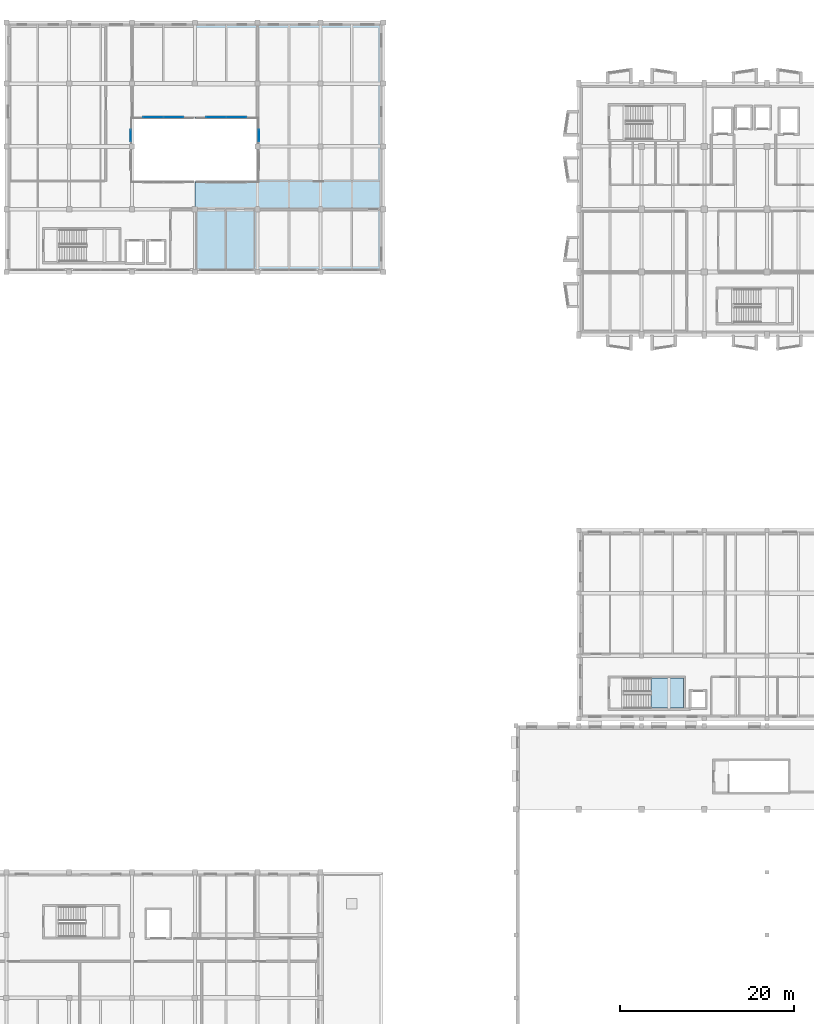
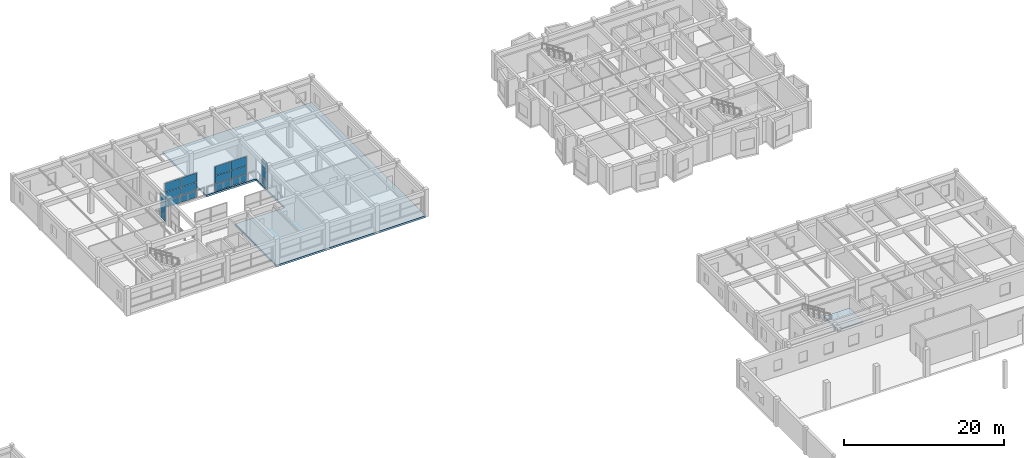
# One storey, part 24 of 49: 18 plates, 2 slabs, 5 elements without a shape of their own.
"""IFC4 building model written with IfcOpenShell, lengths in metres."""

from ifc_helpers import new_model, si_unit, direction, frame, origin, origin_2d, place, context, subcontext, project, spatial, polyline, rectangle, outline, extrude, material, layer, layer_set, type_object, element, aggregate, save


model = new_model("IFC4")

# Units and contexts
model_context = context("Model", 3, precision=1e-05, world=origin(), true_north=direction((0.0, 1.0)))
body_context = subcontext(model_context, "Body", "Model", "MODEL_VIEW")
ifc_project = project(units=[si_unit("LENGTHUNIT", "METRE"), si_unit("AREAUNIT", "SQUARE_METRE"), si_unit("VOLUMEUNIT", "CUBIC_METRE"), si_unit("PLANEANGLEUNIT", "RADIAN"), si_unit("MASSUNIT", "GRAM", prefix="KILO")], contexts=[model_context])

# Site, building, storey
site_placement = place(None, origin())
site = spatial("IfcSite", under=ifc_project, at=site_placement, CompositionType="ELEMENT")
building_placement = place(site_placement, origin())
building = spatial("IfcBuilding", under=site, at=building_placement, Name="Bramveld Media Centre", CompositionType="ELEMENT")
storey_placement = place(building_placement, frame((0.0, 0.0, 9.60009765625)))
storey = spatial("IfcBuildingStorey", under=building, at=storey_placement, Name="L02", CompositionType="ELEMENT", Elevation=9.60009765625)

# Curtain wall, plates
ifc_material_1 = material(Name="Thermally broken anodized bronze aluminium unitized curtain wall with solar-control triple glazing", Category="aluminium")
curtain_wall_type_1 = type_object("IfcCurtainWallType", Name="CW-ATR-4700x3880", PredefinedType="NOTDEFINED", material=ifc_material_1)
curtain_wall_1_placement = place(storey_placement, origin())
curtain_wall_1 = element("IfcCurtainWall", 1, at=curtain_wall_1_placement, inside=storey, type_object=curtain_wall_type_1, Name="V6 L02 atrium acoustic screen N1-1", PredefinedType="NOTDEFINED")
ifc_material_2 = material(Name="Laminated acoustic safety glass panel", Category="glass")
ifc_layer_1 = layer(ifc_material_2, 0.028076171875)
ifc_layer_set_1 = layer_set([ifc_layer_1], Name="Laminated acoustic safety glass panel")
plate_type = type_object("IfcPlateType", Name="CW-PAN-INT", PredefinedType="CURTAIN_PANEL", material=ifc_layer_set_1)
plate_1_placement = place(storey_placement, frame((82.43994140625, 108.14990234375, 0.059814453125), z_axis=(0.0, 0.0, 1.0), x_axis=(1.0, 0.0, 0.0)))
plate_1 = element("IfcPlate", 2, at=plate_1_placement, type_object=plate_type, Name="CW-AT-4738 panel 1.1", PredefinedType="CURTAIN_PANEL", context=body_context, shape_type="SweptSolid", body=[
    extrude(rectangle(XDim=2.260009765625, YDim=0.028076171875, at=origin_2d()), origin(), (0.0, 0.0, 1.0), 1.06005859375),
])
plate_2_placement = place(storey_placement, frame((82.43994140625, 108.14990234375, 1.1796875), z_axis=(0.0, 0.0, 1.0), x_axis=(1.0, 0.0, 0.0)))
plate_2 = element("IfcPlate", 3, at=plate_2_placement, type_object=plate_type, Name="CW-AT-4738 panel 1.2", PredefinedType="CURTAIN_PANEL", context=body_context, shape_type="SweptSolid", body=[
    extrude(rectangle(XDim=2.260009765625, YDim=0.028076171875, at=origin_2d()), origin(), (0.0, 0.0, 1.0), 1.196044921875),
])
plate_3_placement = place(storey_placement, frame((82.43994140625, 108.14990234375, 2.43603515625), z_axis=(0.0, 0.0, 1.0), x_axis=(1.0, 0.0, 0.0)))
plate_3 = element("IfcPlate", 4, at=plate_3_placement, type_object=plate_type, Name="CW-AT-4738 panel 1.3", PredefinedType="CURTAIN_PANEL", context=body_context, shape_type="SweptSolid", body=[
    extrude(rectangle(XDim=2.260009765625, YDim=0.028076171875, at=origin_2d()), origin(), (0.0, 0.0, 1.0), 1.384033203125),
])
plate_4_placement = place(storey_placement, frame((84.760009765625, 108.14990234375, 0.059814453125), z_axis=(0.0, 0.0, 1.0), x_axis=(1.0, 0.0, 0.0)))
plate_4 = element("IfcPlate", 5, at=plate_4_placement, type_object=plate_type, Name="CW-AT-4738 panel 2.1", PredefinedType="CURTAIN_PANEL", context=body_context, shape_type="SweptSolid", body=[
    extrude(rectangle(XDim=2.260009765625, YDim=0.028076171875, at=origin_2d()), origin(), (0.0, 0.0, 1.0), 1.06005859375),
])
plate_5_placement = place(storey_placement, frame((84.760009765625, 108.14990234375, 1.1796875), z_axis=(0.0, 0.0, 1.0), x_axis=(1.0, 0.0, 0.0)))
plate_5 = element("IfcPlate", 6, at=plate_5_placement, type_object=plate_type, Name="CW-AT-4738 panel 2.2", PredefinedType="CURTAIN_PANEL", context=body_context, shape_type="SweptSolid", body=[
    extrude(rectangle(XDim=2.260009765625, YDim=0.028076171875, at=origin_2d()), origin(), (0.0, 0.0, 1.0), 1.196044921875),
])
plate_6_placement = place(storey_placement, frame((84.760009765625, 108.14990234375, 2.43603515625), z_axis=(0.0, 0.0, 1.0), x_axis=(1.0, 0.0, 0.0)))
plate_6 = element("IfcPlate", 7, at=plate_6_placement, type_object=plate_type, Name="CW-AT-4738 panel 2.3", PredefinedType="CURTAIN_PANEL", context=body_context, shape_type="SweptSolid", body=[
    extrude(rectangle(XDim=2.260009765625, YDim=0.028076171875, at=origin_2d()), origin(), (0.0, 0.0, 1.0), 1.384033203125),
])
aggregate(curtain_wall_1, [plate_1, plate_2, plate_3, plate_4, plate_5, plate_6])

curtain_wall_2_placement = place(storey_placement, origin())
curtain_wall_2 = element("IfcCurtainWall", 8, at=curtain_wall_2_placement, inside=storey, type_object=curtain_wall_type_1, Name="V6 L02 atrium acoustic screen N2-1", PredefinedType="NOTDEFINED")
plate_7_placement = place(storey_placement, frame((89.639892578125, 108.14990234375, 0.059814453125), z_axis=(0.0, 0.0, 1.0), x_axis=(1.0, 0.0, 0.0)))
plate_7 = element("IfcPlate", 9, at=plate_7_placement, type_object=plate_type, Name="CW-AT-4738 panel 1.1", PredefinedType="CURTAIN_PANEL", context=body_context, shape_type="SweptSolid", body=[
    extrude(rectangle(XDim=2.260009765625, YDim=0.028076171875, at=origin_2d()), origin(), (0.0, 0.0, 1.0), 1.06005859375),
])
plate_8_placement = place(storey_placement, frame((89.639892578125, 108.14990234375, 1.1796875), z_axis=(0.0, 0.0, 1.0), x_axis=(1.0, 0.0, 0.0)))
plate_8 = element("IfcPlate", 10, at=plate_8_placement, type_object=plate_type, Name="CW-AT-4738 panel 1.2", PredefinedType="CURTAIN_PANEL", context=body_context, shape_type="SweptSolid", body=[
    extrude(rectangle(XDim=2.260009765625, YDim=0.028076171875, at=origin_2d()), origin(), (0.0, 0.0, 1.0), 1.196044921875),
])
plate_9_placement = place(storey_placement, frame((89.639892578125, 108.14990234375, 2.43603515625), z_axis=(0.0, 0.0, 1.0), x_axis=(1.0, 0.0, 0.0)))
plate_9 = element("IfcPlate", 11, at=plate_9_placement, type_object=plate_type, Name="CW-AT-4738 panel 1.3", PredefinedType="CURTAIN_PANEL", context=body_context, shape_type="SweptSolid", body=[
    extrude(rectangle(XDim=2.260009765625, YDim=0.028076171875, at=origin_2d()), origin(), (0.0, 0.0, 1.0), 1.384033203125),
])
plate_10_placement = place(storey_placement, frame((91.9599609375, 108.14990234375, 0.059814453125), z_axis=(0.0, 0.0, 1.0), x_axis=(1.0, 0.0, 0.0)))
plate_10 = element("IfcPlate", 12, at=plate_10_placement, type_object=plate_type, Name="CW-AT-4738 panel 2.1", PredefinedType="CURTAIN_PANEL", context=body_context, shape_type="SweptSolid", body=[
    extrude(rectangle(XDim=2.260009765625, YDim=0.028076171875, at=origin_2d()), origin(), (0.0, 0.0, 1.0), 1.06005859375),
])
plate_11_placement = place(storey_placement, frame((91.9599609375, 108.14990234375, 1.1796875), z_axis=(0.0, 0.0, 1.0), x_axis=(1.0, 0.0, 0.0)))
plate_11 = element("IfcPlate", 13, at=plate_11_placement, type_object=plate_type, Name="CW-AT-4738 panel 2.2", PredefinedType="CURTAIN_PANEL", context=body_context, shape_type="SweptSolid", body=[
    extrude(rectangle(XDim=2.260009765625, YDim=0.028076171875, at=origin_2d()), origin(), (0.0, 0.0, 1.0), 1.196044921875),
])
plate_12_placement = place(storey_placement, frame((91.9599609375, 108.14990234375, 2.43603515625), z_axis=(0.0, 0.0, 1.0), x_axis=(1.0, 0.0, 0.0)))
plate_12 = element("IfcPlate", 14, at=plate_12_placement, type_object=plate_type, Name="CW-AT-4738 panel 2.3", PredefinedType="CURTAIN_PANEL", context=body_context, shape_type="SweptSolid", body=[
    extrude(rectangle(XDim=2.260009765625, YDim=0.028076171875, at=origin_2d()), origin(), (0.0, 0.0, 1.0), 1.384033203125),
])
aggregate(curtain_wall_2, [plate_7, plate_8, plate_9, plate_10, plate_11, plate_12])

ifc_material_3 = material(Name="Thermally broken anodized bronze aluminium unitized curtain wall with solar-control triple glazing", Category="aluminium")
curtain_wall_type_2 = type_object("IfcCurtainWallType", Name="CW-ATR-1400x3880", PredefinedType="NOTDEFINED", material=ifc_material_3)
curtain_wall_3_placement = place(storey_placement, origin())
curtain_wall_3 = element("IfcCurtainWall", 15, at=curtain_wall_3_placement, inside=storey, type_object=curtain_wall_type_2, Name="V6 L02 atrium acoustic screen W-2", PredefinedType="NOTDEFINED")
plate_13_placement = place(storey_placement, frame((79.85009765625, 106.050048828125, 0.059814453125), z_axis=(0.0, 0.0, 1.0), x_axis=(0.0, 1.0, 0.0)))
plate_13 = element("IfcPlate", 16, at=plate_13_placement, type_object=plate_type, Name="CW-AT-1438 panel 1.1", PredefinedType="CURTAIN_PANEL", context=body_context, shape_type="SweptSolid", body=[
    extrude(rectangle(XDim=1.280029296875, YDim=0.028076171875, at=origin_2d()), origin(), (0.0, 0.0, 1.0), 1.06005859375),
])
plate_14_placement = place(storey_placement, frame((79.85009765625, 106.050048828125, 1.1796875), z_axis=(0.0, 0.0, 1.0), x_axis=(0.0, 1.0, 0.0)))
plate_14 = element("IfcPlate", 17, at=plate_14_placement, type_object=plate_type, Name="CW-AT-1438 panel 1.2", PredefinedType="CURTAIN_PANEL", context=body_context, shape_type="SweptSolid", body=[
    extrude(rectangle(XDim=1.280029296875, YDim=0.028076171875, at=origin_2d()), origin(), (0.0, 0.0, 1.0), 1.196044921875),
])
plate_15_placement = place(storey_placement, frame((79.85009765625, 106.050048828125, 2.43603515625), z_axis=(0.0, 0.0, 1.0), x_axis=(0.0, 1.0, 0.0)))
plate_15 = element("IfcPlate", 18, at=plate_15_placement, type_object=plate_type, Name="CW-AT-1438 panel 1.3", PredefinedType="CURTAIN_PANEL", context=body_context, shape_type="SweptSolid", body=[
    extrude(rectangle(XDim=1.280029296875, YDim=0.028076171875, at=origin_2d()), origin(), (0.0, 0.0, 1.0), 1.384033203125),
])
aggregate(curtain_wall_3, [plate_13, plate_14, plate_15])

curtain_wall_4_placement = place(storey_placement, origin())
curtain_wall_4 = element("IfcCurtainWall", 19, at=curtain_wall_4_placement, inside=storey, type_object=curtain_wall_type_2, Name="V6 L02 atrium acoustic screen E-2", PredefinedType="NOTDEFINED")
plate_16_placement = place(storey_placement, frame((94.550048828125, 106.050048828125, 0.059814453125), z_axis=(0.0, 0.0, 1.0), x_axis=(0.0, 1.0, 0.0)))
plate_16 = element("IfcPlate", 20, at=plate_16_placement, type_object=plate_type, Name="CW-AT-1438 panel 1.1", PredefinedType="CURTAIN_PANEL", context=body_context, shape_type="SweptSolid", body=[
    extrude(rectangle(XDim=1.280029296875, YDim=0.028076171875, at=origin_2d()), origin(), (0.0, 0.0, 1.0), 1.06005859375),
])
plate_17_placement = place(storey_placement, frame((94.550048828125, 106.050048828125, 1.1796875), z_axis=(0.0, 0.0, 1.0), x_axis=(0.0, 1.0, 0.0)))
plate_17 = element("IfcPlate", 21, at=plate_17_placement, type_object=plate_type, Name="CW-AT-1438 panel 1.2", PredefinedType="CURTAIN_PANEL", context=body_context, shape_type="SweptSolid", body=[
    extrude(rectangle(XDim=1.280029296875, YDim=0.028076171875, at=origin_2d()), origin(), (0.0, 0.0, 1.0), 1.196044921875),
])
plate_18_placement = place(storey_placement, frame((94.550048828125, 106.050048828125, 2.43603515625), z_axis=(0.0, 0.0, 1.0), x_axis=(0.0, 1.0, 0.0)))
plate_18 = element("IfcPlate", 22, at=plate_18_placement, type_object=plate_type, Name="CW-AT-1438 panel 1.3", PredefinedType="CURTAIN_PANEL", context=body_context, shape_type="SweptSolid", body=[
    extrude(rectangle(XDim=1.280029296875, YDim=0.028076171875, at=origin_2d()), origin(), (0.0, 0.0, 1.0), 1.384033203125),
])
aggregate(curtain_wall_4, [plate_16, plate_17, plate_18])

# Slab
ifc_material_4 = material(Name="Concrete C40/50", Category="concrete")
ifc_layer_2 = layer(ifc_material_4, 0.280029296875)
ifc_layer_set_2 = layer_set([ifc_layer_2], Name="Concrete C40/50")
slab_type_1 = type_object("IfcSlabType", Name="SLAB-FLOOR-INT-280", PredefinedType="FLOOR", material=ifc_layer_set_2)
slab_1_placement = place(storey_placement, frame((0.0, 0.0, -0.280029296875)))
element("IfcSlab", 23, at=slab_1_placement, inside=storey, type_object=slab_type_1, Name="V6 L02 structural slab 2", PredefinedType="FLOOR", context=body_context, shape_type="SweptSolid", body=[
    extrude(outline(polyline([(108.800048828125, 90.39990234375), (87.199951171875, 90.39990234375), (87.199951171875, 100.800048828125), (94.39990234375, 100.800048828125), (94.39990234375, 108.0), (87.199951171875, 108.0), (87.199951171875, 119.0), (108.800048828125, 119.0), (108.800048828125, 90.39990234375)])), origin(), (0.0, 0.0, 1.0), 0.280029296875),
])

# Stair, slab
ifc_material_5 = material(Name="Concrete C40/50", Category="concrete")
stair_type = type_object("IfcStairType", Name="STAIR-ST-08-24R-1600", PredefinedType="HALF_TURN_STAIR", material=ifc_material_5)
stair_placement = place(storey_placement, origin())
stair = element("IfcStair", 24, at=stair_placement, inside=storey, type_object=stair_type, Name="L02 Post-Production & Education Wing Stair", PredefinedType="HALF_TURN_STAIR")
ifc_material_6 = material(Name="Concrete C40/50", Category="concrete")
ifc_layer_3 = layer(ifc_material_6, 0.199951171875)
ifc_layer_set_3 = layer_set([ifc_layer_3], Name="Concrete C40/50")
slab_type_2 = type_object("IfcSlabType", Name="SLAB-STAIR-LAND-200", PredefinedType="LANDING", material=ifc_layer_set_3)
slab_2_placement = place(storey_placement, frame((0.0, 0.0, 1.89990234375)))
slab_2 = element("IfcSlab", 25, at=slab_2_placement, type_object=slab_type_2, Name="ST-08 landing 1", PredefinedType="LANDING", context=body_context, shape_type="SweptSolid", body=[
    extrude(outline(polyline([(139.47998046875, 40.39990234375), (143.199951171875, 40.39990234375), (143.199951171875, 43.85009765625), (139.47998046875, 43.85009765625), (139.47998046875, 40.39990234375)])), origin(), (0.0, 0.0, 1.0), 0.199951171875),
])
aggregate(stair, [slab_2])

save(model, "model.ifc")
